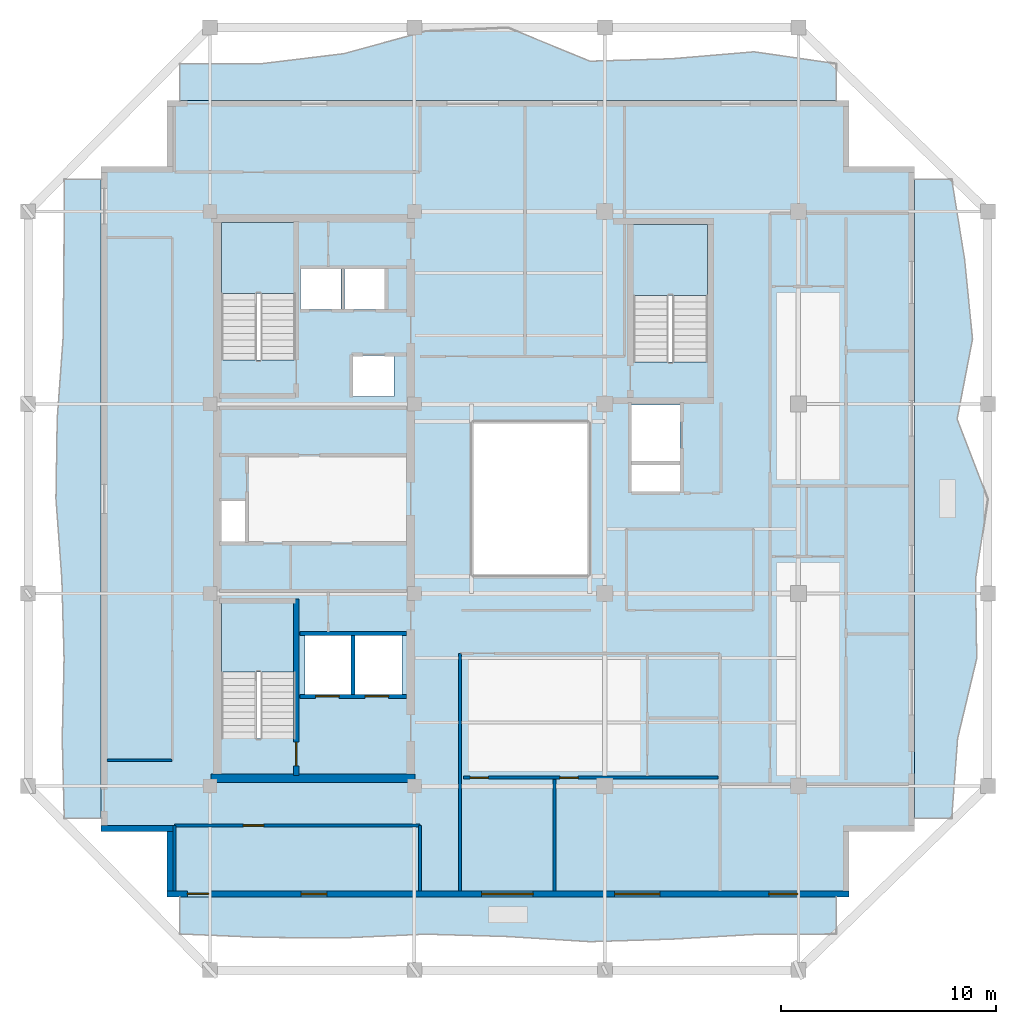
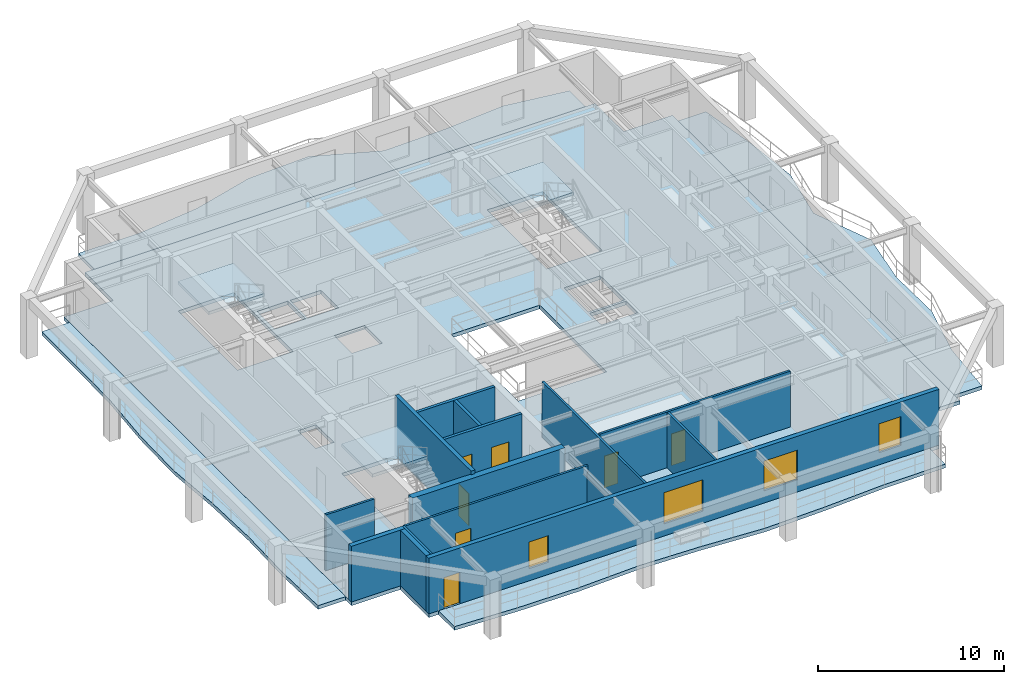
# One storey, part 2 of 10: 15 walls, 8 slabs, 7 doors, 4 windows, 11 openings, 3 elements without a shape of their own.
"""IFC4 building model written with IfcOpenShell, lengths in metres."""

from ifc_helpers import new_model, si_unit, direction, frame, frame_2d, origin, place, context, subcontext, project, spatial, polyline, rectangle, outline, extrude, material, layer, layer_set, type_object, element, fill, aggregate, save


model = new_model("IFC4")

# Units and contexts
model_context = context("Model", 3, precision=1e-05, world=origin(), true_north=direction((0.0, 1.0)))
body_context = subcontext(model_context, "Body", "Model", "MODEL_VIEW")
ifc_project = project(units=[si_unit("LENGTHUNIT", "METRE"), si_unit("AREAUNIT", "SQUARE_METRE"), si_unit("VOLUMEUNIT", "CUBIC_METRE"), si_unit("PLANEANGLEUNIT", "RADIAN"), si_unit("MASSUNIT", "GRAM", prefix="KILO")], contexts=[model_context])

# Site, building, storey
site_placement = place(None, origin())
site = spatial("IfcSite", under=ifc_project, at=site_placement, CompositionType="ELEMENT")
building_placement = place(site_placement, origin())
building = spatial("IfcBuilding", under=site, at=building_placement, Name="Kundavana Baori Tower", CompositionType="ELEMENT")
storey_placement = place(building_placement, frame((0.0, 0.0, 299.89990234375)))
storey = spatial("IfcBuildingStorey", under=building, at=storey_placement, Name="L74", CompositionType="ELEMENT", Elevation=299.89990234375)

# Slab
ifc_material_1 = material(Name="Concrete C40/50", Category="concrete")
ifc_layer_1 = layer(ifc_material_1, 0.239990234375, Name="SLB-FLR-240")
ifc_layer_set_1 = layer_set([ifc_layer_1], Name="Concrete C40/50")
slab_type_1 = type_object("IfcSlabType", Name="SLB-FLR-240", PredefinedType="FLOOR", material=ifc_layer_set_1)
slab_1_placement = place(storey_placement, frame((0.0, 0.0, -0.239990234375)))
element("IfcSlab", 1, at=slab_1_placement, inside=storey, type_object=slab_type_1, Name="L74 Structural Floor Slab", PredefinedType="FLOOR", context=body_context, shape_type="SweptSolid", body=[
    extrude(outline(polyline([(13.449951171875, 10.10009765625), (45.14990234375, 10.10009765625), (45.14990234375, 13.14990234375), (48.199951171875, 13.14990234375), (48.199951171875, 44.050048828125), (45.14990234375, 44.050048828125), (45.14990234375, 47.10009765625), (13.449951171875, 47.10009765625), (13.449951171875, 44.050048828125), (10.39990234375, 44.050048828125), (10.39990234375, 13.14990234375), (13.449951171875, 13.14990234375), (13.449951171875, 10.10009765625)]), holes=[polyline([(19.43994140625, 17.4619140625), (19.43994140625, 23.85009765625), (15.97998046875, 23.85009765625), (15.97998046875, 17.4619140625), (19.43994140625, 17.4619140625)]), polyline([(19.43994140625, 35.06201171875), (19.43994140625, 41.449951171875), (15.97998046875, 41.449951171875), (15.97998046875, 35.06201171875), (19.43994140625, 35.06201171875)]), polyline([(38.580078125, 34.9619140625), (38.580078125, 41.35009765625), (35.1201171875, 41.35009765625), (35.1201171875, 34.9619140625), (38.580078125, 34.9619140625)]), polyline([(19.64990234375, 37.39990234375), (21.550048828125, 37.39990234375), (21.550048828125, 39.300048828125), (19.64990234375, 39.300048828125), (19.64990234375, 37.39990234375)]), polyline([(21.699951171875, 37.39990234375), (23.60009765625, 37.39990234375), (23.60009765625, 39.300048828125), (21.699951171875, 39.300048828125), (21.699951171875, 37.39990234375)]), polyline([(22.10009765625, 33.35009765625), (24.0, 33.35009765625), (24.0, 35.25), (22.10009765625, 35.25), (22.10009765625, 33.35009765625)]), polyline([(19.8798828125, 19.5), (22.02001953125, 19.5), (22.02001953125, 22.25), (19.8798828125, 22.25), (19.8798828125, 19.5)]), polyline([(22.179931640625, 19.5), (24.3798828125, 19.5), (24.3798828125, 22.25), (22.179931640625, 22.25), (22.179931640625, 19.5)]), polyline([(35.050048828125, 30.35009765625), (37.300048828125, 30.35009765625), (37.300048828125, 32.949951171875), (35.050048828125, 32.949951171875), (35.050048828125, 30.35009765625)]), polyline([(15.949951171875, 26.60009765625), (17.080078125, 26.60009765625), (17.080078125, 28.5), (15.949951171875, 28.5), (15.949951171875, 26.60009765625)]), polyline([(35.050048828125, 28.949951171875), (37.300048828125, 28.949951171875), (37.300048828125, 30.199951171875), (35.050048828125, 30.199951171875), (35.050048828125, 28.949951171875)]), polyline([(27.60009765625, 25.0), (33.10009765625, 25.0), (33.10009765625, 32.199951171875), (27.60009765625, 32.199951171875), (27.60009765625, 25.0)])]), origin(), (0.0, 0.0, 1.0), 0.239990234375),
])

# Stair, slab
ifc_material_2 = material(Name="Concrete C40/50", Category="concrete")
stair_type = type_object("IfcStairType", Name="STR-DOG-1650", PredefinedType="HALF_TURN_STAIR", material=ifc_material_2)
stair_1_placement = place(storey_placement, origin())
stair_1 = element("IfcStair", 2, at=stair_1_placement, inside=storey, type_object=stair_type, Name="L74 Protected Exit Stair ST1", PredefinedType="HALF_TURN_STAIR")
ifc_material_3 = material(Name="Concrete C40/50", Category="concrete")
ifc_layer_2 = layer(ifc_material_3, 0.199951171875, Name="SLB-LND-200")
ifc_layer_set_2 = layer_set([ifc_layer_2], Name="Concrete C40/50")
slab_type_2 = type_object("IfcSlabType", Name="SLB-LND-200", PredefinedType="LANDING", material=ifc_layer_set_2)
slab_2_placement = place(storey_placement, frame((0.0, 0.0, 1.75)))
slab_2 = element("IfcSlab", 3, at=slab_2_placement, type_object=slab_type_2, Name="ST1 landing 1", PredefinedType="LANDING", context=body_context, shape_type="SweptSolid", body=[
    extrude(outline(polyline([(19.43994140625, 20.550048828125), (19.43994140625, 23.85009765625), (15.97998046875, 23.85009765625), (15.97998046875, 20.550048828125), (19.43994140625, 20.550048828125)])), origin(), (0.0, 0.0, 1.0), 0.2001953125),
])
aggregate(stair_1, [slab_2])

stair_2_placement = place(storey_placement, origin())
stair_2 = element("IfcStair", 4, at=stair_2_placement, inside=storey, type_object=stair_type, Name="L74 Protected Exit Stair ST2", PredefinedType="HALF_TURN_STAIR")
slab_3_placement = place(storey_placement, frame((0.0, 0.0, 1.75)))
slab_3 = element("IfcSlab", 5, at=slab_3_placement, type_object=slab_type_2, Name="ST2 landing 1", PredefinedType="LANDING", context=body_context, shape_type="SweptSolid", body=[
    extrude(outline(polyline([(19.43994140625, 38.14990234375), (19.43994140625, 41.449951171875), (15.97998046875, 41.449951171875), (15.97998046875, 38.14990234375), (19.43994140625, 38.14990234375)])), origin(), (0.0, 0.0, 1.0), 0.2001953125),
])
aggregate(stair_2, [slab_3])

stair_3_placement = place(storey_placement, origin())
stair_3 = element("IfcStair", 6, at=stair_3_placement, inside=storey, type_object=stair_type, Name="L74 Protected Exit Stair ST3", PredefinedType="HALF_TURN_STAIR")
slab_4_placement = place(storey_placement, frame((0.0, 0.0, 1.75)))
slab_4 = element("IfcSlab", 7, at=slab_4_placement, type_object=slab_type_2, Name="ST3 landing 1", PredefinedType="LANDING", context=body_context, shape_type="SweptSolid", body=[
    extrude(outline(polyline([(38.580078125, 38.050048828125), (38.580078125, 41.35009765625), (35.1201171875, 41.35009765625), (35.1201171875, 38.050048828125), (38.580078125, 38.050048828125)])), origin(), (0.0, 0.0, 1.0), 0.2001953125),
])
aggregate(stair_3, [slab_4])

# Slabs
ifc_material_4 = material(Name="Concrete C40/50", Category="concrete")
ifc_layer_3 = layer(ifc_material_4, 0.239990234375, Name="SLB-LOG-240")
ifc_layer_set_3 = layer_set([ifc_layer_3], Name="Concrete C40/50")
slab_type_3 = type_object("IfcSlabType", Name="SLB-LOG-240", PredefinedType="FLOOR", material=ifc_layer_set_3)
slab_5_placement = place(storey_placement, frame((0.0, 0.0, -0.239990234375)))
element("IfcSlab", 8, at=slab_5_placement, inside=storey, type_object=slab_type_3, Name="L74 Planted Loggia Balcony Slab S", PredefinedType="FLOOR", context=body_context, shape_type="SweptSolid", body=[
    extrude(outline(polyline([(14.050048828125, 10.10009765625), (44.550048828125, 10.10009765625), (44.550048828125, 8.3798828125), (40.737060546875, 8.35693359375), (36.925048828125, 8.139892578125), (33.112060546875, 8.02099609375), (29.300048828125, 8.260009765625), (25.487060546875, 8.3701171875), (21.675048828125, 8.198974609375), (17.863037109375, 8.219970703125), (14.050048828125, 8.3798828125), (14.050048828125, 10.10009765625)])), origin(), (0.0, 0.0, 1.0), 0.239990234375),
])
slab_6_placement = place(storey_placement, frame((0.0, 0.0, -0.239990234375)))
element("IfcSlab", 9, at=slab_6_placement, inside=storey, type_object=slab_type_3, Name="L74 Planted Loggia Balcony Slab E", PredefinedType="FLOOR", context=body_context, shape_type="SweptSolid", body=[
    extrude(outline(polyline([(48.199951171875, 13.75), (48.199951171875, 43.449951171875), (49.919921875, 43.449951171875), (50.51904296875, 39.738037109375), (50.886962890625, 36.02490234375), (50.1708984375, 32.31201171875), (51.60009765625, 28.60009765625), (51.030029296875, 24.887939453125), (51.08203125, 21.175048828125), (50.194091796875, 17.4619140625), (49.919921875, 13.75), (48.199951171875, 13.75)])), origin(), (0.0, 0.0, 1.0), 0.239990234375),
])
slab_7_placement = place(storey_placement, frame((0.0, 0.0, -0.239990234375)))
element("IfcSlab", 10, at=slab_7_placement, inside=storey, type_object=slab_type_3, Name="L74 Planted Loggia Balcony Slab N", PredefinedType="FLOOR", context=body_context, shape_type="SweptSolid", body=[
    extrude(outline(polyline([(44.550048828125, 47.10009765625), (14.050048828125, 47.10009765625), (14.050048828125, 48.820068359375), (17.863037109375, 48.822021484375), (21.675048828125, 49.283935546875), (25.487060546875, 50.330078125), (29.300048828125, 50.5), (33.112060546875, 48.93505859375), (36.925048828125, 49.049072265625), (40.737060546875, 49.3720703125), (44.550048828125, 48.820068359375), (44.550048828125, 47.10009765625)])), origin(), (0.0, 0.0, 1.0), 0.239990234375),
])
slab_8_placement = place(storey_placement, frame((0.0, 0.0, -0.239990234375)))
element("IfcSlab", 11, at=slab_8_placement, inside=storey, type_object=slab_type_3, Name="L74 Planted Loggia Balcony Slab W", PredefinedType="FLOOR", context=body_context, shape_type="SweptSolid", body=[
    extrude(outline(polyline([(10.39990234375, 43.449951171875), (10.39990234375, 13.75), (8.679931640625, 13.75), (8.587890625, 17.4619140625), (8.674072265625, 21.175048828125), (8.570068359375, 24.887939453125), (8.2958984375, 28.60009765625), (8.35498046875, 32.31201171875), (8.625, 36.02490234375), (8.6689453125, 39.738037109375), (8.679931640625, 43.449951171875), (10.39990234375, 43.449951171875)])), origin(), (0.0, 0.0, 1.0), 0.239990234375),
])

# Wall
ifc_material_5 = material(Name="Concrete C50/60", Category="concrete")
ifc_layer_4 = layer(ifc_material_5, 0.39990234375, Name="WL-CORE-400")
ifc_layer_set_4 = layer_set([ifc_layer_4], Name="Concrete C50/60")
wall_type_1 = type_object("IfcWallType", Name="WL-CORE-400", PredefinedType="SHEAR", material=ifc_layer_set_4)
wall_1_placement = place(storey_placement, frame((15.5, 15.610107421875, 0.0), z_axis=(0.0, 0.0, 1.0), x_axis=(1.0, 0.0, 0.0)))
element("IfcWall", 12, at=wall_1_placement, inside=storey, type_object=wall_type_1, Name="L74 Offset Core South Shear Wall", PredefinedType="SHEAR", context=body_context, shape_type="SweptSolid", body=[
    extrude(rectangle(XDim=9.47998046875, YDim=0.39990234375, at=frame_2d((4.739990234375, 0.0))), origin(), (0.0, 0.0, 1.0), 3.66015625),
])

# Wall, opening, door
wall_2_placement = place(storey_placement, frame((19.4599609375, 15.739990234375, 0.0), z_axis=(0.0, 0.0, 1.0), x_axis=(0.0, 1.0, 0.0)))
wall_2 = element("IfcWall", 13, at=wall_2_placement, inside=storey, type_object=wall_type_1, Name="WL-L74-ST1-E", PredefinedType="SHEAR", context=body_context, shape_type="SweptSolid", body=[
    extrude(rectangle(XDim=8.199951171875, YDim=0.239990234375, at=frame_2d((4.10009765625, 0.0))), origin(), (0.0, 0.0, 1.0), 3.900146484375),
])
opening_1_placement = place(wall_2_placement, frame((0.449951171875, 0.0, 0.0)))
opening_1 = element("IfcOpeningElement", 14, at=opening_1_placement, cuts=wall_2, Name="Opening FD-110", PredefinedType="OPENING", context=body_context, shape_type="SweptSolid", body=[
    extrude(rectangle(XDim=1.10009765625, YDim=2.10009765625, at=frame_2d((0.550048828125, 1.050048828125))), frame((0.0, 0.1298828125, 0.0), z_axis=(0.0, -1.0, 0.0), x_axis=(1.0, 0.0, 0.0)), (0.0, 0.0, 1.0), 0.260009765625),
])
ifc_material_6 = material(Name="Galvanised Steel Fire-Rated Door Leaf", Category="steel")
door_type_1 = type_object("IfcDoorType", Name="DR-FD120-1100", OperationType="NOTDEFINED", PredefinedType="DOOR", material=ifc_material_6)
door_1_placement = place(opening_1_placement, origin())
door_1 = element("IfcDoor", 15, at=door_1_placement, inside=storey, type_object=door_type_1, Name="DR-L74-ST1", OperationType="SINGLE_SWING_LEFT", OverallHeight=2.10009765625, OverallWidth=1.10009765625, PredefinedType="DOOR", context=body_context, shape_type="SweptSolid", body=[
    extrude(rectangle(XDim=1.10009765625, YDim=2.10009765625, at=frame_2d((0.550048828125, 1.050048828125))), frame((0.0, 0.02490234375, 0.0), z_axis=(0.0, -1.0, 0.0), x_axis=(1.0, 0.0, 0.0)), (0.0, 0.0, 1.0), 0.050048828125),
])
fill(opening_1, door_1)

# Wall, openings, door, windows
ifc_material_7 = material(Name="Red-Buff Dholpur Sandstone Cladding on Concrete C40/50", Category="masonry")
ifc_layer_5 = layer(ifc_material_7, 0.280029296875, Name="WL-EXT-SAND-280")
ifc_layer_set_5 = layer_set([ifc_layer_5], Name="Red-Buff Dholpur Sandstone Cladding on Concrete C40/50")
wall_type_2 = type_object("IfcWallType", Name="WL-EXT-SAND-280", PredefinedType="STANDARD", material=ifc_layer_set_5)
wall_3_placement = place(storey_placement, frame((13.449951171875, 10.239990234375, 0.0), z_axis=(0.0, 0.0, 1.0), x_axis=(1.0, 0.0, 0.0)))
wall_3 = element("IfcWall", 16, at=wall_3_placement, inside=storey, type_object=wall_type_2, Name="L74 Exterior Insulated Facade Wall 01", PredefinedType="STANDARD", context=body_context, shape_type="SweptSolid", body=[
    extrude(rectangle(XDim=31.699951171875, YDim=0.280029296875, at=frame_2d((15.85009765625, 0.0))), origin(), (0.0, 0.0, 1.0), 3.66015625),
])
opening_2_placement = place(wall_3_placement, frame((0.949951171875, 0.0, 0.0)))
opening_2 = element("IfcOpeningElement", 17, at=opening_2_placement, cuts=wall_3, Name="Opening BD-1", PredefinedType="OPENING", context=body_context, shape_type="SweptSolid", body=[
    extrude(rectangle(XDim=1.0, YDim=2.050048828125, at=frame_2d((0.5, 1.02490234375))), frame((0.0, 0.14990234375, 0.0), z_axis=(0.0, -1.0, 0.0), x_axis=(1.0, 0.0, 0.0)), (0.0, 0.0, 1.0), 0.300048828125),
])
opening_3_placement = place(wall_3_placement, frame((6.235107421875, 0.0, 0.800048828125)))
opening_3 = element("IfcOpeningElement", 18, at=opening_3_placement, cuts=wall_3, Name="Opening W-03", PredefinedType="OPENING", context=body_context, shape_type="SweptSolid", body=[
    extrude(rectangle(XDim=1.199951171875, YDim=1.75, at=frame_2d((0.60009765625, 0.875))), frame((0.0, 0.14990234375, 0.0), z_axis=(0.0, -1.0, 0.0), x_axis=(1.0, 0.0, 0.0)), (0.0, 0.0, 1.0), 0.300048828125),
])
opening_4_placement = place(wall_3_placement, frame((14.623046875, 0.0, 0.800048828125)))
opening_4 = element("IfcOpeningElement", 19, at=opening_4_placement, cuts=wall_3, Name="Opening W-04", PredefinedType="OPENING", context=body_context, shape_type="SweptSolid", body=[
    extrude(rectangle(XDim=2.39990234375, YDim=2.050048828125, at=frame_2d((1.199951171875, 1.02490234375))), frame((0.0, 0.14990234375, 0.0), z_axis=(0.0, -1.0, 0.0), x_axis=(1.0, 0.0, 0.0)), (0.0, 0.0, 1.0), 0.300048828125),
])
opening_5_placement = place(wall_3_placement, frame((20.80810546875, 0.0, 0.800048828125)))
opening_5 = element("IfcOpeningElement", 20, at=opening_5_placement, cuts=wall_3, Name="Opening W-05", PredefinedType="OPENING", context=body_context, shape_type="SweptSolid", body=[
    extrude(rectangle(XDim=2.10009765625, YDim=1.949951171875, at=frame_2d((1.050048828125, 0.97509765625))), frame((0.0, 0.14990234375, 0.0), z_axis=(0.0, -1.0, 0.0), x_axis=(1.0, 0.0, 0.0)), (0.0, 0.0, 1.0), 0.300048828125),
])
opening_6_placement = place(wall_3_placement, frame((27.969970703125, 0.0, 0.800048828125)))
opening_6 = element("IfcOpeningElement", 21, at=opening_6_placement, cuts=wall_3, Name="Opening W-07", PredefinedType="OPENING", context=body_context, shape_type="SweptSolid", body=[
    extrude(rectangle(XDim=1.35009765625, YDim=1.89990234375, at=frame_2d((0.675048828125, 0.949951171875))), frame((0.0, 0.14990234375, 0.0), z_axis=(0.0, -1.0, 0.0), x_axis=(1.0, 0.0, 0.0)), (0.0, 0.0, 1.0), 0.300048828125),
])
ifc_material_8 = material(Name="Architectural Patinated Bronze Metalwork")
door_type_2 = type_object("IfcDoorType", Name="DR-EXT-LOG-1000", OperationType="NOTDEFINED", PredefinedType="DOOR", material=ifc_material_8)
door_2_placement = place(opening_2_placement, frame((1.0, 0.0, 0.0), z_axis=(0.0, 0.0, 1.0), x_axis=(-1.0, 0.0, 0.0)))
door_2 = element("IfcDoor", 22, at=door_2_placement, inside=storey, type_object=door_type_2, Name="L74 Loggia Balcony Access Door S", OperationType="SINGLE_SWING_LEFT", OverallHeight=2.050048828125, OverallWidth=1.0, PredefinedType="DOOR", context=body_context, shape_type="SweptSolid", body=[
    extrude(rectangle(XDim=1.0, YDim=2.050048828125, at=frame_2d((0.5, 1.02490234375))), frame((0.0, 0.02490234375, 0.0), z_axis=(0.0, -1.0, 0.0), x_axis=(1.0, 0.0, 0.0)), (0.0, 0.0, 1.0), 0.050048828125),
])
fill(opening_2, door_2)
ifc_material_9 = material(Name="Double-Glazed Solar-Control Low-E Insulated Glass", Category="glass")
window_type_1 = type_object("IfcWindowType", Name="WIN-LOG-1200x1750", PartitioningType="SINGLE_PANEL", PredefinedType="WINDOW", material=ifc_material_9)
window_1_placement = place(opening_3_placement, origin())
window_1 = element("IfcWindow", 23, at=window_1_placement, inside=storey, type_object=window_type_1, Name="L74 Recessed Loggia Window S-1", OverallHeight=1.75, OverallWidth=1.199951171875, PartitioningType="SINGLE_PANEL", PredefinedType="WINDOW", context=body_context, shape_type="SweptSolid", body=[
    extrude(rectangle(XDim=1.199951171875, YDim=1.75, at=frame_2d((0.60009765625, 0.875))), frame((0.0, 0.030029296875, 0.0), z_axis=(0.0, -1.0, 0.0), x_axis=(1.0, 0.0, 0.0)), (0.0, 0.0, 1.0), 0.06005859375),
])
fill(opening_3, window_1)
ifc_material_10 = material(Name="Double-Glazed Solar-Control Low-E Insulated Glass", Category="glass")
window_type_2 = type_object("IfcWindowType", Name="WIN-LOG-1350x1900", PartitioningType="SINGLE_PANEL", PredefinedType="WINDOW", material=ifc_material_10)
window_2_placement = place(opening_6_placement, origin())
window_2 = element("IfcWindow", 24, at=window_2_placement, inside=storey, type_object=window_type_2, Name="L74 Recessed Loggia Window S-4", OverallHeight=1.89990234375, OverallWidth=1.35009765625, PartitioningType="SINGLE_PANEL", PredefinedType="WINDOW", context=body_context, shape_type="SweptSolid", body=[
    extrude(rectangle(XDim=1.35009765625, YDim=1.89990234375, at=frame_2d((0.675048828125, 0.949951171875))), frame((0.0, 0.030029296875, 0.0), z_axis=(0.0, -1.0, 0.0), x_axis=(1.0, 0.0, 0.0)), (0.0, 0.0, 1.0), 0.06005859375),
])
fill(opening_6, window_2)
ifc_material_11 = material(Name="Double-Glazed Solar-Control Low-E Insulated Glass", Category="glass")
window_type_3 = type_object("IfcWindowType", Name="WIN-LOG-2100x1950", PartitioningType="SINGLE_PANEL", PredefinedType="WINDOW", material=ifc_material_11)
window_3_placement = place(opening_5_placement, origin())
window_3 = element("IfcWindow", 25, at=window_3_placement, inside=storey, type_object=window_type_3, Name="L74 Recessed Loggia Window S-3", OverallHeight=1.949951171875, OverallWidth=2.10009765625, PartitioningType="SINGLE_PANEL", PredefinedType="WINDOW", context=body_context, shape_type="SweptSolid", body=[
    extrude(rectangle(XDim=2.10009765625, YDim=1.949951171875, at=frame_2d((1.050048828125, 0.97509765625))), frame((0.0, 0.030029296875, 0.0), z_axis=(0.0, -1.0, 0.0), x_axis=(1.0, 0.0, 0.0)), (0.0, 0.0, 1.0), 0.06005859375),
])
fill(opening_5, window_3)
ifc_material_12 = material(Name="Double-Glazed Solar-Control Low-E Insulated Glass", Category="glass")
window_type_4 = type_object("IfcWindowType", Name="WIN-LOG-2400x2050", PartitioningType="SINGLE_PANEL", PredefinedType="WINDOW", material=ifc_material_12)
window_4_placement = place(opening_4_placement, origin())
window_4 = element("IfcWindow", 26, at=window_4_placement, inside=storey, type_object=window_type_4, Name="L74 Recessed Loggia Window S-2", OverallHeight=2.050048828125, OverallWidth=2.39990234375, PartitioningType="SINGLE_PANEL", PredefinedType="WINDOW", context=body_context, shape_type="SweptSolid", body=[
    extrude(rectangle(XDim=2.39990234375, YDim=2.050048828125, at=frame_2d((1.199951171875, 1.02490234375))), frame((0.0, 0.030029296875, 0.0), z_axis=(0.0, -1.0, 0.0), x_axis=(1.0, 0.0, 0.0)), (0.0, 0.0, 1.0), 0.06005859375),
])
fill(opening_4, window_4)

# Walls
wall_4_placement = place(storey_placement, frame((10.39990234375, 13.2900390625, 0.0), z_axis=(0.0, 0.0, 1.0), x_axis=(1.0, 0.0, 0.0)))
element("IfcWall", 27, at=wall_4_placement, inside=storey, type_object=wall_type_2, Name="L74 Exterior Insulated Facade Wall 11", PredefinedType="STANDARD", context=body_context, shape_type="SweptSolid", body=[
    extrude(rectangle(XDim=3.330078125, YDim=0.280029296875, at=frame_2d((1.6650390625, 0.0))), origin(), (0.0, 0.0, 1.0), 3.66015625),
])
wall_5_placement = place(storey_placement, frame((13.590087890625, 13.14990234375, 0.0), z_axis=(0.0, 0.0, 1.0), x_axis=(0.0, -1.0, 0.0)))
element("IfcWall", 28, at=wall_5_placement, inside=storey, type_object=wall_type_2, Name="L74 Exterior Insulated Facade Wall 12", PredefinedType="STANDARD", context=body_context, shape_type="SweptSolid", body=[
    extrude(rectangle(XDim=2.77001953125, YDim=0.280029296875, at=frame_2d((1.385009765625, 0.0))), origin(), (0.0, 0.0, 1.0), 3.66015625),
])
ifc_material_13 = material(Name="Acoustic Gypsum Plasterboard on Galvanised Steel Studs", Category="steel")
ifc_layer_6 = layer(ifc_material_13, 0.135009765625, Name="WL-PART-135")
ifc_layer_set_6 = layer_set([ifc_layer_6], Name="Acoustic Gypsum Plasterboard on Galvanised Steel Studs")
wall_type_3 = type_object("IfcWallType", Name="WL-PART-135", PredefinedType="PARTITIONING", material=ifc_layer_set_6)
wall_6_placement = place(storey_placement, frame((27.080078125, 10.3798828125, 0.0), z_axis=(0.0, 0.0, 1.0), x_axis=(0.0, 1.0, 0.0)))
element("IfcWall", 29, at=wall_6_placement, inside=storey, type_object=wall_type_3, Name="WL-L74-RSW", PredefinedType="PARTITIONING", context=body_context, shape_type="SweptSolid", body=[
    extrude(rectangle(XDim=11.0400390625, YDim=0.135009765625, at=frame_2d((5.52001953125, 0.0))), origin(), (0.0, 0.0, 1.0), 3.66015625),
])

# Wall, opening, door
wall_7_placement = place(storey_placement, frame((13.800048828125, 13.419921875, 0.0), z_axis=(0.0, 0.0, 1.0), x_axis=(1.0, 0.0, 0.0)))
wall_7 = element("IfcWall", 30, at=wall_7_placement, inside=storey, type_object=wall_type_3, Name="WL-L74-RSC", PredefinedType="PARTITIONING", context=body_context, shape_type="SweptSolid", body=[
    extrude(rectangle(XDim=11.419921875, YDim=0.135009765625, at=frame_2d((5.7099609375, 0.0))), origin(), (0.0, 0.0, 1.0), 3.66015625),
])
opening_7_placement = place(wall_7_placement, frame((3.199951171875, 0.0, 0.0)))
opening_7 = element("IfcOpeningElement", 31, at=opening_7_placement, cuts=wall_7, Name="Opening ID-095", PredefinedType="OPENING", context=body_context, shape_type="SweptSolid", body=[
    extrude(rectangle(XDim=0.949951171875, YDim=2.080078125, at=frame_2d((0.47509765625, 1.0400390625))), frame((0.0, 0.07763671875, 0.0), z_axis=(0.0, -1.0, 0.0), x_axis=(1.0, 0.0, 0.0)), (0.0, 0.0, 1.0), 0.155029296875),
])
ifc_material_14 = material(Name="Engineered Teak Solid-Core Timber Veneer", Category="wood")
door_type_3 = type_object("IfcDoorType", Name="DR-INT-950", OperationType="NOTDEFINED", PredefinedType="DOOR", material=ifc_material_14)
door_3_placement = place(opening_7_placement, frame((0.949951171875, 0.0, 0.0), z_axis=(0.0, 0.0, 1.0), x_axis=(-1.0, 0.0, 0.0)))
door_3 = element("IfcDoor", 32, at=door_3_placement, inside=storey, type_object=door_type_3, Name="DR-L74-RMSW", OperationType="SINGLE_SWING_LEFT", OverallHeight=2.080078125, OverallWidth=0.949951171875, PredefinedType="DOOR", context=body_context, shape_type="SweptSolid", body=[
    extrude(rectangle(XDim=0.949951171875, YDim=2.080078125, at=frame_2d((0.47509765625, 1.0400390625))), frame((0.0, 0.02490234375, 0.0), z_axis=(0.0, -1.0, 0.0), x_axis=(1.0, 0.0, 0.0)), (0.0, 0.0, 1.0), 0.050048828125),
])
fill(opening_7, door_3)

# Walls
wall_8_placement = place(storey_placement, frame((13.800048828125, 10.3798828125, 0.0), z_axis=(0.0, 0.0, 1.0), x_axis=(0.0, 1.0, 0.0)))
element("IfcWall", 33, at=wall_8_placement, inside=storey, type_object=wall_type_3, Name="WL-L74-RSCW", PredefinedType="PARTITIONING", context=body_context, shape_type="SweptSolid", body=[
    extrude(rectangle(XDim=3.0400390625, YDim=0.135009765625, at=frame_2d((1.52001953125, 0.0))), origin(), (0.0, 0.0, 1.0), 3.66015625),
])
wall_9_placement = place(storey_placement, frame((25.219970703125, 10.3798828125, 0.0), z_axis=(0.0, 0.0, 1.0), x_axis=(0.0, 1.0, 0.0)))
element("IfcWall", 34, at=wall_9_placement, inside=storey, type_object=wall_type_3, Name="WL-L74-RSCE", PredefinedType="PARTITIONING", context=body_context, shape_type="SweptSolid", body=[
    extrude(rectangle(XDim=3.0400390625, YDim=0.135009765625, at=frame_2d((1.52001953125, 0.0))), origin(), (0.0, 0.0, 1.0), 3.210205078125),
])
wall_10_placement = place(storey_placement, frame((10.679931640625, 16.449951171875, 0.0), z_axis=(0.0, 0.0, 1.0), x_axis=(1.0, 0.0, 0.0)))
element("IfcWall", 35, at=wall_10_placement, inside=storey, type_object=wall_type_3, Name="WL-L74-RWS", PredefinedType="PARTITIONING", context=body_context, shape_type="SweptSolid", body=[
    extrude(rectangle(XDim=3.02001953125, YDim=0.135009765625, at=frame_2d((1.510009765625, 0.0))), origin(), (0.0, 0.0, 1.0), 3.66015625),
])

# Wall, openings, doors
wall_11_placement = place(storey_placement, frame((27.239990234375, 15.64111328125, 0.0), z_axis=(0.0, 0.0, 1.0), x_axis=(1.0, 0.0, 0.0)))
wall_11 = element("IfcWall", 36, at=wall_11_placement, inside=storey, type_object=wall_type_3, Name="WL-L74-S1-HZ", PredefinedType="PARTITIONING", context=body_context, shape_type="SweptSolid", body=[
    extrude(rectangle(XDim=11.830078125, YDim=0.135009765625, at=frame_2d((5.9150390625, 0.0))), origin(), (0.0, 0.0, 1.0), 3.66015625),
])
opening_8_placement = place(wall_11_placement, frame((0.300048828125, 0.0, 0.0)))
opening_8 = element("IfcOpeningElement", 37, at=opening_8_placement, cuts=wall_11, Name="Opening ID-085", PredefinedType="OPENING", context=body_context, shape_type="SweptSolid", body=[
    extrude(rectangle(XDim=0.85009765625, YDim=2.080078125, at=frame_2d((0.425048828125, 1.0400390625))), frame((0.0, 0.07763671875, 0.0), z_axis=(0.0, -1.0, 0.0), x_axis=(1.0, 0.0, 0.0)), (0.0, 0.0, 1.0), 0.155029296875),
])
opening_9_placement = place(wall_11_placement, frame((4.47509765625, 0.0, 0.0)))
opening_9 = element("IfcOpeningElement", 38, at=opening_9_placement, cuts=wall_11, Name="Opening ID-085", PredefinedType="OPENING", context=body_context, shape_type="SweptSolid", body=[
    extrude(rectangle(XDim=0.85009765625, YDim=2.080078125, at=frame_2d((0.425048828125, 1.0400390625))), frame((0.0, 0.07763671875, 0.0), z_axis=(0.0, -1.0, 0.0), x_axis=(1.0, 0.0, 0.0)), (0.0, 0.0, 1.0), 0.155029296875),
])
ifc_material_15 = material(Name="Engineered Teak Solid-Core Timber Veneer", Category="wood")
door_type_4 = type_object("IfcDoorType", Name="DR-INT-850", OperationType="NOTDEFINED", PredefinedType="DOOR", material=ifc_material_15)
door_4_placement = place(opening_8_placement, frame((0.85009765625, 0.0, 0.0), z_axis=(0.0, 0.0, 1.0), x_axis=(-1.0, 0.0, 0.0)))
door_4 = element("IfcDoor", 39, at=door_4_placement, inside=storey, type_object=door_type_4, Name="DR-L74-S1-B1", OperationType="SINGLE_SWING_LEFT", OverallHeight=2.080078125, OverallWidth=0.85009765625, PredefinedType="DOOR", context=body_context, shape_type="SweptSolid", body=[
    extrude(rectangle(XDim=0.85009765625, YDim=2.080078125, at=frame_2d((0.425048828125, 1.0400390625))), frame((0.0, 0.02490234375, 0.0), z_axis=(0.0, -1.0, 0.0), x_axis=(1.0, 0.0, 0.0)), (0.0, 0.0, 1.0), 0.050048828125),
])
fill(opening_8, door_4)
door_5_placement = place(opening_9_placement, frame((0.85009765625, 0.0, 0.0), z_axis=(0.0, 0.0, 1.0), x_axis=(-1.0, 0.0, 0.0)))
door_5 = element("IfcDoor", 40, at=door_5_placement, inside=storey, type_object=door_type_4, Name="DR-L74-S1-B2", OperationType="SINGLE_SWING_RIGHT", OverallHeight=2.080078125, OverallWidth=0.85009765625, PredefinedType="DOOR", context=body_context, shape_type="SweptSolid", body=[
    extrude(rectangle(XDim=0.85009765625, YDim=2.080078125, at=frame_2d((0.425048828125, 1.0400390625))), frame((0.0, 0.02490234375, 0.0), z_axis=(0.0, -1.0, 0.0), x_axis=(1.0, 0.0, 0.0)), (0.0, 0.0, 1.0), 0.050048828125),
])
fill(opening_9, door_5)

# Wall
wall_12_placement = place(storey_placement, frame((31.465087890625, 10.3798828125, 0.0), z_axis=(0.0, 0.0, 1.0), x_axis=(0.0, 1.0, 0.0)))
element("IfcWall", 41, at=wall_12_placement, inside=storey, type_object=wall_type_3, Name="WL-L74-S1-BDV", PredefinedType="PARTITIONING", context=body_context, shape_type="SweptSolid", body=[
    extrude(rectangle(XDim=5.18115234375, YDim=0.135009765625, at=frame_2d((2.590576171875, 0.0))), origin(), (0.0, 0.0, 1.0), 3.66015625),
])

# Wall, openings, doors
ifc_material_16 = material(Name="Autoclaved Aerated Concrete Blockwork Masonry", Category="masonry")
ifc_layer_7 = layer(ifc_material_16, 0.179931640625, Name="WL-SHAFT-180")
ifc_layer_set_7 = layer_set([ifc_layer_7], Name="Autoclaved Aerated Concrete Blockwork Masonry")
wall_type_4 = type_object("IfcWallType", Name="WL-SHAFT-180", PredefinedType="SOLIDWALL", material=ifc_layer_set_7)
wall_13_placement = place(storey_placement, frame((19.639892578125, 19.419921875, 0.0), z_axis=(0.0, 0.0, 1.0), x_axis=(1.0, 0.0, 0.0)))
wall_13 = element("IfcWall", 42, at=wall_13_placement, inside=storey, type_object=wall_type_4, Name="WL-L74-FFL-S", PredefinedType="SOLIDWALL", context=body_context, shape_type="SweptSolid", body=[
    extrude(rectangle(XDim=4.940185546875, YDim=0.179931640625, at=frame_2d((2.47021484375, 0.0))), origin(), (0.0, 0.0, 1.0), 3.66015625),
])
opening_10_placement = place(wall_13_placement, frame((0.719970703125, 0.0, 0.0)))
opening_10 = element("IfcOpeningElement", 43, at=opening_10_placement, cuts=wall_13, Name="Opening LD-110", PredefinedType="OPENING", context=body_context, shape_type="SweptSolid", body=[
    extrude(rectangle(XDim=1.10009765625, YDim=2.10009765625, at=frame_2d((0.550048828125, 1.050048828125))), frame((0.0, 0.10009765625, 0.0), z_axis=(0.0, -1.0, 0.0), x_axis=(1.0, 0.0, 0.0)), (0.0, 0.0, 1.0), 0.199951171875),
])
opening_11_placement = place(wall_13_placement, frame((3.02001953125, 0.0, 0.0)))
opening_11 = element("IfcOpeningElement", 44, at=opening_11_placement, cuts=wall_13, Name="Opening LD-110", PredefinedType="OPENING", context=body_context, shape_type="SweptSolid", body=[
    extrude(rectangle(XDim=1.10009765625, YDim=2.10009765625, at=frame_2d((0.550048828125, 1.050048828125))), frame((0.0, 0.10009765625, 0.0), z_axis=(0.0, -1.0, 0.0), x_axis=(1.0, 0.0, 0.0)), (0.0, 0.0, 1.0), 0.199951171875),
])
ifc_material_17 = material(Name="Galvanised Steel Fire-Rated Door Leaf", Category="steel")
door_type_5 = type_object("IfcDoorType", Name="DR-SLIDE-LD1100", OperationType="NOTDEFINED", PredefinedType="DOOR", material=ifc_material_17)
door_6_placement = place(opening_10_placement, origin())
door_6 = element("IfcDoor", 45, at=door_6_placement, inside=storey, type_object=door_type_5, Name="DR-L74-LD-FFL-1", OperationType="DOUBLE_DOOR_SLIDING", OverallHeight=2.10009765625, OverallWidth=1.10009765625, PredefinedType="DOOR", context=body_context, shape_type="SweptSolid", body=[
    extrude(rectangle(XDim=1.10009765625, YDim=2.10009765625, at=frame_2d((0.550048828125, 1.050048828125))), frame((0.0, 0.02490234375, 0.0), z_axis=(0.0, -1.0, 0.0), x_axis=(1.0, 0.0, 0.0)), (0.0, 0.0, 1.0), 0.050048828125),
])
fill(opening_10, door_6)
door_7_placement = place(opening_11_placement, origin())
door_7 = element("IfcDoor", 46, at=door_7_placement, inside=storey, type_object=door_type_5, Name="DR-L74-LD-FFL-2", OperationType="DOUBLE_DOOR_SLIDING", OverallHeight=2.10009765625, OverallWidth=1.10009765625, PredefinedType="DOOR", context=body_context, shape_type="SweptSolid", body=[
    extrude(rectangle(XDim=1.10009765625, YDim=2.10009765625, at=frame_2d((0.550048828125, 1.050048828125))), frame((0.0, 0.02490234375, 0.0), z_axis=(0.0, -1.0, 0.0), x_axis=(1.0, 0.0, 0.0)), (0.0, 0.0, 1.0), 0.050048828125),
])
fill(opening_11, door_7)

# Walls
wall_14_placement = place(storey_placement, frame((22.10009765625, 19.510009765625, 0.0), z_axis=(0.0, 0.0, 1.0), x_axis=(0.0, 1.0, 0.0)))
element("IfcWall", 47, at=wall_14_placement, inside=storey, type_object=wall_type_4, Name="WL-L74-FFL-MID", PredefinedType="SOLIDWALL", context=body_context, shape_type="SweptSolid", body=[
    extrude(rectangle(XDim=2.739990234375, YDim=0.179931640625, at=frame_2d((1.3701171875, 0.0))), origin(), (0.0, 0.0, 1.0), 3.66015625),
])
wall_15_placement = place(storey_placement, frame((19.639892578125, 22.340087890625, 0.0), z_axis=(0.0, 0.0, 1.0), x_axis=(1.0, 0.0, 0.0)))
element("IfcWall", 48, at=wall_15_placement, inside=storey, type_object=wall_type_4, Name="WL-L74-FFL-N", PredefinedType="SOLIDWALL", context=body_context, shape_type="SweptSolid", body=[
    extrude(rectangle(XDim=4.940185546875, YDim=0.179931640625, at=frame_2d((2.47021484375, 0.0))), origin(), (0.0, 0.0, 1.0), 3.66015625),
])

save(model, "model.ifc")
